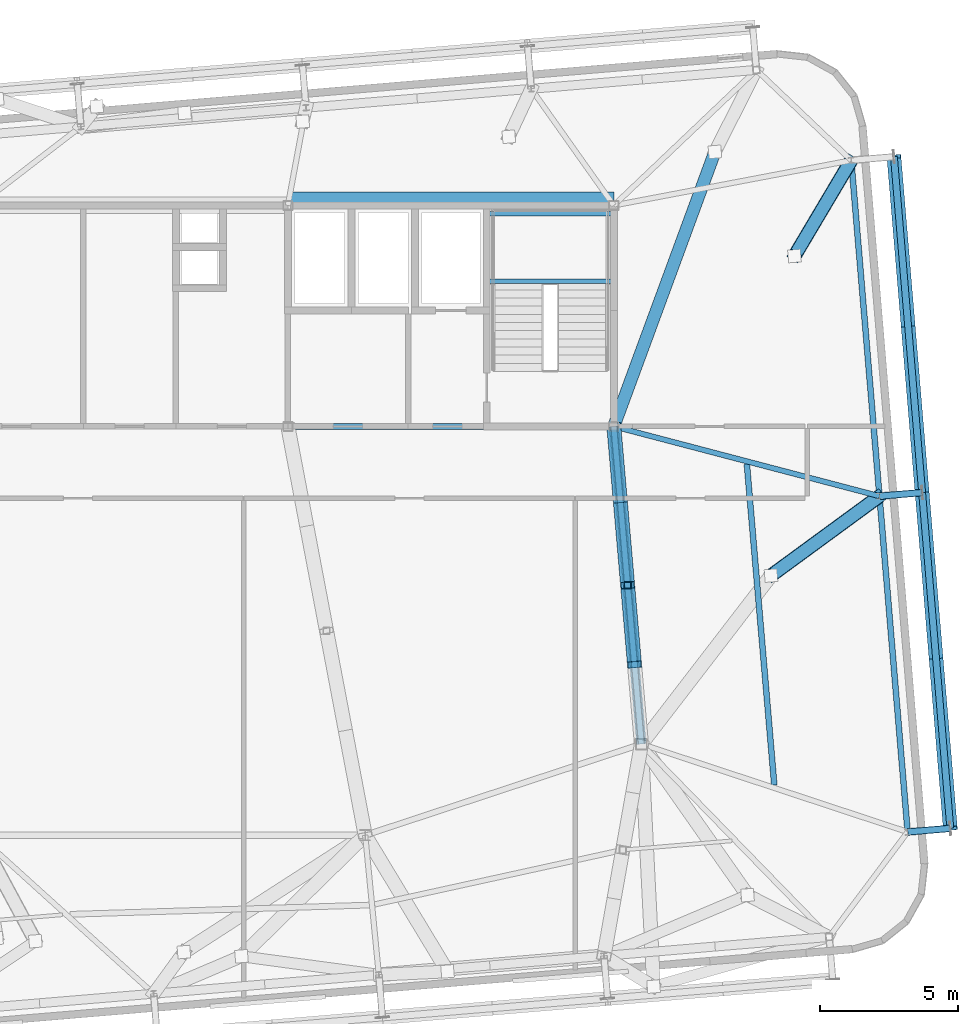
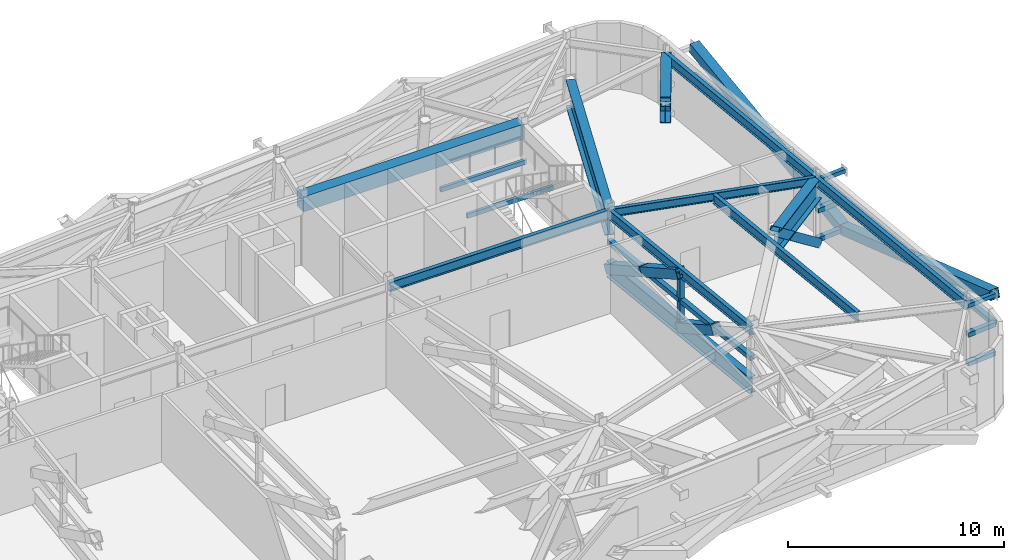
# One storey, part 12 of 26: 21 members, 12 beams.
"""IFC4 building model written with IfcOpenShell, lengths in metres."""

from ifc_helpers import new_model, si_unit, direction, frame, origin, origin_2d, place, context, subcontext, project, spatial, rectangle, hollow_rectangle, i_section, extrude, source, transform, mapped, material, material_profile, profile_set, type_object, element, save


model = new_model("IFC4")

# Units and contexts
model_context = context("Model", 3, precision=1e-05, world=origin(), true_north=direction((0.0, 1.0)))
body_context = subcontext(model_context, "Body", "Model", "MODEL_VIEW")
ifc_project = project(units=[si_unit("LENGTHUNIT", "METRE"), si_unit("AREAUNIT", "SQUARE_METRE"), si_unit("VOLUMEUNIT", "CUBIC_METRE"), si_unit("PLANEANGLEUNIT", "RADIAN"), si_unit("MASSUNIT", "GRAM", prefix="KILO")], contexts=[model_context])

# Site, building, storey
site_placement = place(None, origin())
site = spatial("IfcSite", under=ifc_project, at=site_placement, CompositionType="ELEMENT")
building_placement = place(site_placement, origin())
building = spatial("IfcBuilding", under=site, at=building_placement, Name="Taldren Reach Tower", CompositionType="ELEMENT")
storey_placement = place(building_placement, frame((0.0, 0.0, 207.199951171875)))
storey = spatial("IfcBuildingStorey", under=building, at=storey_placement, Name="L63", CompositionType="ELEMENT", Elevation=207.199951171875)

# Beams
ifc_material_1 = material(Name="Steel Gr 350 (350PLUS)", Category="steel")
ifc_material_profile_1 = material_profile(ifc_material_1, i_section(OverallWidth=0.208984375, OverallDepth=0.532958984375, WebThickness=0.01025390625, FlangeThickness=0.015625, at=origin_2d()), Name="530UB92.4")
ifc_profile_set_1 = profile_set([ifc_material_profile_1], Name="Steel Gr 350 (350PLUS)")
beam_type_1 = type_object("IfcBeamType", Name="BM-UB530A", PredefinedType="BEAM", material=ifc_profile_set_1)
shared_shape_1 = source(origin(), body_context, "Body", "SweptSolid", [
    extrude(i_section(OverallWidth=0.208984375, OverallDepth=0.532958984375, WebThickness=0.01025390625, FlangeThickness=0.015625, at=origin_2d()), origin(), (0.0, 0.0, 1.0), 11.800048828125),
])
beam_1_placement = place(storey_placement, frame((39.199951171875, 24.0, 3.513427734375), z_axis=(1.0, 0.0, 0.0), x_axis=(0.0, 1.0, 0.0)))
element("IfcBeam", 1, at=beam_1_placement, inside=storey, type_object=beam_type_1, Name="Core-spine girder L63-SP03", PredefinedType="BEAM", context=body_context, shape_type="MappedRepresentation", body=[
    mapped(shared_shape_1, transform((0.0, 0.0, 0.0), scale=1.0)),
])
ifc_material_2 = material(Name="Concrete S80 (80 MPa)", Category="concrete")
ifc_material_profile_2 = material_profile(ifc_material_2, rectangle(XDim=0.60009765625, YDim=0.85009765625, at=origin_2d()), Name="RC-CB600x850")
ifc_profile_set_2 = profile_set([ifc_material_profile_2], Name="Concrete S80 (80 MPa)")
beam_type_2 = type_object("IfcBeamType", Name="BM-RCCB850", PredefinedType="BEAM", material=ifc_profile_set_2)
shared_shape_2 = source(origin(), body_context, "Body", "SweptSolid", [
    extrude(rectangle(XDim=0.60009765625, YDim=0.85009765625, at=origin_2d()), origin(), (0.0, 0.0, 1.0), 11.800048828125),
])
beam_2_placement = place(storey_placement, frame((39.199951171875, 32.179931640625, 3.35498046875), z_axis=(1.0, 0.0, 0.0), x_axis=(0.0, 1.0, 0.0)))
element("IfcBeam", 2, at=beam_2_placement, inside=storey, type_object=beam_type_2, Name="Core-spine girder L63-SP06", PredefinedType="BEAM", context=body_context, shape_type="MappedRepresentation", body=[
    mapped(shared_shape_2, transform((0.0, 0.0, 0.0), scale=1.0)),
])
shared_shape_3 = source(origin(), body_context, "Body", "SweptSolid", [
    extrude(i_section(OverallWidth=0.208984375, OverallDepth=0.532958984375, WebThickness=0.01025390625, FlangeThickness=0.015625, at=origin_2d()), origin(), (0.0, 0.0, 1.0), 11.54345703125),
])
beam_3_placement = place(storey_placement, frame((52.0, 12.5, 3.513427734375), z_axis=(-0.086629616365, 0.996240588196, 0.0), x_axis=(-0.996240588196, -0.086629616365, 0.0)))
element("IfcBeam", 3, at=beam_3_placement, inside=storey, type_object=beam_type_1, Name="Core-spine girder L63-SP13", PredefinedType="BEAM", context=body_context, shape_type="MappedRepresentation", body=[
    mapped(shared_shape_3, transform((0.0, 0.0, 0.0), scale=1.0)),
])

# Members
ifc_material_profile_3 = material_profile(ifc_material_1, i_section(OverallWidth=0.35009765625, OverallDepth=0.916015625, WebThickness=0.013916015625, FlangeThickness=0.028076171875, at=origin_2d()), Name="900WB257")
ifc_profile_set_3 = profile_set([ifc_material_profile_3], Name="Steel Gr 350 (350PLUS)")
member_type_1 = type_object("IfcMemberType", Name="MB-CH900", PredefinedType="CHORD", material=ifc_profile_set_3)
shared_shape_4 = source(origin(), body_context, "Body", "SweptSolid", [
    extrude(i_section(OverallWidth=0.35009765625, OverallDepth=0.916015625, WebThickness=0.013916015625, FlangeThickness=0.028076171875, at=origin_2d()), origin(), (0.0, 0.0, 1.0), 11.54345703125),
])
member_1_placement = place(storey_placement, frame((51.0, 24.0, 0.449951171875), z_axis=(0.086629616365, -0.996240588196, 0.0), x_axis=(0.996240588196, 0.086629616365, 0.0)))
element("IfcMember", 4, at=member_1_placement, inside=storey, type_object=member_type_1, Name="Outrigger Transfer Truss Bottom Chord OT-E1 L63", PredefinedType="CHORD", context=body_context, shape_type="MappedRepresentation", body=[
    mapped(shared_shape_4, transform((0.0, 0.0, 0.0), scale=1.0)),
])
ifc_material_3 = material(Name="Steel Gr 350 (C350L0)", Category="steel")
ifc_material_profile_4 = material_profile(ifc_material_3, hollow_rectangle(XDim=0.25, YDim=0.25, WallThickness=0.010009765625, at=origin_2d()), Name="250x250x10.0SHS")
ifc_profile_set_4 = profile_set([ifc_material_profile_4], Name="Steel Gr 350 (C350L0)")
member_type_2 = type_object("IfcMemberType", Name="MB-POST250", PredefinedType="POST", material=ifc_profile_set_4)
shared_shape_5 = source(origin(), body_context, "Body", "SweptSolid", [
    extrude(hollow_rectangle(XDim=0.25, YDim=0.25, WallThickness=0.010009765625, at=origin_2d()), origin(), (0.0, 0.0, 1.0), 11.54345703125),
])
member_2_placement = place(storey_placement, frame((51.0, 24.0, 1.955078125), z_axis=(0.086629616365, -0.996240588196, 0.0), x_axis=(0.996240588196, 0.086629616365, 0.0)))
element("IfcMember", 5, at=member_2_placement, inside=storey, type_object=member_type_2, Name="Outrigger Transfer Truss Mid Chord OT-E1 L63", PredefinedType="POST", context=body_context, shape_type="MappedRepresentation", body=[
    mapped(shared_shape_5, transform((0.0, 0.0, 0.0), scale=1.0)),
])
shared_shape_6 = source(origin(), body_context, "Body", "SweptSolid", [
    extrude(hollow_rectangle(XDim=0.25, YDim=0.25, WallThickness=0.010009765625, at=origin_2d()), origin(), (0.0, 0.0, 1.0), 1.5048828125),
])
member_3_placement = place(storey_placement, frame((51.5, 18.25, 1.955078125), z_axis=(0.0, 0.0, 1.0), x_axis=(1.0, 0.0, 0.0)))
element("IfcMember", 6, at=member_3_placement, inside=storey, type_object=member_type_2, Name="Outrigger Transfer Truss Vertical Post OT-E1 L63", PredefinedType="POST", context=body_context, shape_type="MappedRepresentation", body=[
    mapped(shared_shape_6, transform((0.0, 0.0, 0.0), scale=1.0)),
])
shared_shape_7 = source(origin(), body_context, "Body", "SweptSolid", [
    extrude(hollow_rectangle(XDim=0.25, YDim=0.25, WallThickness=0.010009765625, at=origin_2d()), origin(), (0.0, 0.0, 1.0), 1.505126953125),
])
member_4_placement = place(storey_placement, frame((51.5, 18.25, 0.449951171875), z_axis=(0.0, 0.0, 1.0), x_axis=(1.0, 0.0, 0.0)))
element("IfcMember", 7, at=member_4_placement, inside=storey, type_object=member_type_2, Name="Outrigger Transfer Truss Vertical Post OT-E1 L63", PredefinedType="POST", context=body_context, shape_type="MappedRepresentation", body=[
    mapped(shared_shape_7, transform((0.0, 0.0, 0.0), scale=1.0)),
])
ifc_material_4 = material(Name="Steel Gr 450 (C450L0)", Category="steel")
ifc_material_profile_5 = material_profile(ifc_material_4, hollow_rectangle(XDim=0.510009765625, YDim=0.510009765625, WallThickness=0.02001953125, at=origin_2d()), Name="510x510x20.0SHS")
ifc_profile_set_5 = profile_set([ifc_material_profile_5], Name="Steel Gr 450 (C450L0)")
member_type_3 = type_object("IfcMemberType", Name="MB-EXO508", PredefinedType="BRACE", material=ifc_profile_set_5)
shared_shape_8 = source(origin(), body_context, "Body", "SweptSolid", [
    extrude(hollow_rectangle(XDim=0.510009765625, YDim=0.510009765625, WallThickness=0.02001953125, at=origin_2d()), origin(), (0.0, 0.0, 1.0), 3.254638671875),
])
member_5_placement = place(storey_placement, frame((51.25, 21.125, 1.955078125), z_axis=(0.076812991328, -0.883349400268, 0.462378201703), x_axis=(0.996240588196, 0.086629616365, 0.0)))
element("IfcMember", 8, at=member_5_placement, inside=storey, type_object=member_type_3, Name="Outrigger Transfer Truss Diagonal OT-E1A L63", PredefinedType="BRACE", context=body_context, shape_type="MappedRepresentation", body=[
    mapped(shared_shape_8, transform((0.0, 0.0, 0.0), scale=1.0)),
])
shared_shape_9 = source(origin(), body_context, "Body", "SweptSolid", [
    extrude(hollow_rectangle(XDim=0.510009765625, YDim=0.510009765625, WallThickness=0.02001953125, at=origin_2d()), origin(), (0.0, 0.0, 1.0), 3.2548828125),
])
for number, where, z_axis, x_axis, name in (
    (9, (51.0, 24.0, 0.449951171875), (0.076810327051, -0.883318761082, 0.462437174089), (0.996240588196, 0.086629616365, 0.0), "Outrigger Transfer Truss Diagonal OT-E1A L63"),
    (10, (51.5, 18.25, 0.449951171875), (0.076810327051, -0.883318761082, 0.462437174089), (0.996240588196, 0.086629616365, 0.0), "Outrigger Transfer Truss Diagonal OT-E1B L63"),
):
    element("IfcMember", number, at=place(storey_placement, frame(where, z_axis=z_axis, x_axis=x_axis)), inside=storey, type_object=member_type_3, Name=name, PredefinedType="BRACE", context=body_context, shape_type="MappedRepresentation", body=[
        mapped(shared_shape_9, transform((0.0, 0.0, 0.0), scale=1.0)),
    ])

# Beams
ifc_material_profile_6 = material_profile(ifc_material_1, i_section(OverallWidth=0.208984375, OverallDepth=0.528076171875, WebThickness=0.009521484375, FlangeThickness=0.01318359375, at=origin_2d()), Name="530UB82.0")
ifc_profile_set_6 = profile_set([ifc_material_profile_6], Name="Steel Gr 350 (350PLUS)")
beam_type_3 = type_object("IfcBeamType", Name="SP-UB530B", PredefinedType="SPANDREL", material=ifc_profile_set_6)
shared_shape_10 = source(origin(), body_context, "Body", "SweptSolid", [
    extrude(i_section(OverallWidth=0.208984375, OverallDepth=0.528076171875, WebThickness=0.009521484375, FlangeThickness=0.01318359375, at=origin_2d()), origin(), (0.0, 0.0, 1.0), 12.199951171875),
])
for number, where, z_axis, x_axis, name in (
    (11, (61.63818359375, 9.317626953125, 3.51611328125), (-0.083688038336, 0.996492003099, 0.0), (-0.996492003099, -0.083688038336, 0.0), "Perimeter spandrel B4 E1-E2 L63"),
    (12, (60.6171875, 21.474853515625, 3.51611328125), (-0.083668166953, 0.99649367175, 0.0), (-0.99649367175, -0.083668166953, 0.0), "Perimeter spandrel B4 E2-E3 L63"),
):
    element("IfcBeam", number, at=place(storey_placement, frame(where, z_axis=z_axis, x_axis=x_axis)), inside=storey, type_object=beam_type_3, Name=name, PredefinedType="SPANDREL", context=body_context, shape_type="MappedRepresentation", body=[
        mapped(shared_shape_10, transform((0.0, 0.0, 0.0), scale=1.0)),
    ])
ifc_material_profile_7 = material_profile(ifc_material_1, i_section(OverallWidth=0.19091796875, OverallDepth=0.4599609375, WebThickness=0.010009765625, FlangeThickness=0.01611328125, at=origin_2d()), Name="460UB82.1")
ifc_profile_set_7 = profile_set([ifc_material_profile_7], Name="Steel Gr 350 (350PLUS)")
beam_type_4 = type_object("IfcBeamType", Name="BM-UB460A", PredefinedType="BEAM", material=ifc_profile_set_7)
shared_shape_11 = source(origin(), body_context, "Body", "SweptSolid", [
    extrude(i_section(OverallWidth=0.19091796875, OverallDepth=0.4599609375, WebThickness=0.010009765625, FlangeThickness=0.01611328125, at=origin_2d()), origin(), (0.0, 0.0, 1.0), 9.943115234375),
])
beam_4_placement = place(storey_placement, frame((51.0, 24.0, 3.550048828125), z_axis=(0.967215285987, -0.253957851923, 0.0), x_axis=(0.253957851923, 0.967215285987, 0.0)))
element("IfcBeam", 13, at=beam_4_placement, inside=storey, type_object=beam_type_4, Name="Primary floor girder B4-E2 L63", PredefinedType="BEAM", context=body_context, shape_type="MappedRepresentation", body=[
    mapped(shared_shape_11, transform((0.0, 0.0, 0.0), scale=1.0)),
])
shared_shape_12 = source(origin(), body_context, "Body", "SweptSolid", [
    extrude(i_section(OverallWidth=0.208984375, OverallDepth=0.532958984375, WebThickness=0.01025390625, FlangeThickness=0.015625, at=origin_2d()), origin(), (0.0, 0.0, 1.0), 11.66650390625),
])
beam_5_placement = place(storey_placement, frame((56.810302734375, 11.01220703125, 3.513427734375), z_axis=(-0.085128704566, 0.996369963246, 0.0), x_axis=(-0.996369963246, -0.085128704566, 0.0)))
element("IfcBeam", 14, at=beam_5_placement, inside=storey, type_object=beam_type_1, Name="Secondary floor beam B4 J7 L63", PredefinedType="BEAM", context=body_context, shape_type="MappedRepresentation", body=[
    mapped(shared_shape_12, transform((0.0, 0.0, 0.0), scale=1.0)),
])

# Members
ifc_material_profile_8 = material_profile(ifc_material_4, hollow_rectangle(XDim=0.219970703125, YDim=0.219970703125, WallThickness=0.00830078125, at=origin_2d()), Name="220x220x8.2SHS")
ifc_profile_set_8 = profile_set([ifc_material_profile_8], Name="Steel Gr 450 (C450L0)")
member_type_4 = type_object("IfcMemberType", Name="MB-TIE219", PredefinedType="STRUT", material=ifc_profile_set_8)
shared_shape_13 = source(origin(), body_context, "Body", "SweptSolid", [
    extrude(hollow_rectangle(XDim=0.219970703125, YDim=0.219970703125, WallThickness=0.00830078125, at=origin_2d()), origin(), (0.0, 0.0, 1.0), 1.54541015625),
])
member_6_placement = place(storey_placement, frame((60.621826171875, 21.47509765625, 3.5), z_axis=(0.99648887425, 0.083725285883, 0.0), x_axis=(-0.083725285883, 0.99648887425, 0.0)))
element("IfcMember", 15, at=member_6_placement, inside=storey, type_object=member_type_4, Name="Exoskeleton diaphragm tie strut B4-E2 L63", PredefinedType="STRUT", context=body_context, shape_type="MappedRepresentation", body=[
    mapped(shared_shape_13, transform((0.0, 0.0, 0.0), scale=1.0)),
])
shared_shape_14 = source(origin(), body_context, "Body", "SweptSolid", [
    extrude(hollow_rectangle(XDim=0.219970703125, YDim=0.219970703125, WallThickness=0.00830078125, at=origin_2d()), origin(), (0.0, 0.0, 1.0), 1.545166015625),
])
member_7_placement = place(storey_placement, frame((61.642822265625, 9.31787109375, 3.5), z_axis=(0.996487766615, 0.083738467783, 0.0), x_axis=(-0.083738467783, 0.996487766615, 0.0)))
element("IfcMember", 16, at=member_7_placement, inside=storey, type_object=member_type_4, Name="Exoskeleton diaphragm tie strut B4-E1 L63", PredefinedType="STRUT", context=body_context, shape_type="MappedRepresentation", body=[
    mapped(shared_shape_14, transform((0.0, 0.0, 0.0), scale=1.0)),
])
shared_shape_15 = source(origin(), body_context, "Body", "SweptSolid", [
    extrude(hollow_rectangle(XDim=0.25, YDim=0.25, WallThickness=0.010009765625, at=origin_2d()), origin(), (0.0, 0.0, 1.0), 12.199951171875),
])
for number, where, z_axis, x_axis, name in (
    (17, (63.1826171875, 9.447265625, 1.860107421875), (-0.083668166953, 0.99649367175, 0.0), (-0.99649367175, -0.083668166953, 0.0), "Exoskeleton mid-height ring chord B4-E1 L63"),
    (18, (62.161865234375, 21.6044921875, 1.860107421875), (-0.083688038336, 0.996492003099, 0.0), (-0.996492003099, -0.083688038336, 0.0), "Exoskeleton mid-height ring chord B4-E2 L63"),
):
    element("IfcMember", number, at=place(storey_placement, frame(where, z_axis=z_axis, x_axis=x_axis)), inside=storey, type_object=member_type_2, Name=name, PredefinedType="POST", context=body_context, shape_type="MappedRepresentation", body=[
        mapped(shared_shape_15, transform((0.0, 0.0, 0.0), scale=1.0)),
    ])
shared_shape_16 = source(origin(), body_context, "Body", "SweptSolid", [
    extrude(hollow_rectangle(XDim=0.25, YDim=0.25, WallThickness=0.010009765625, at=origin_2d()), origin(), (0.0, 0.0, 1.0), 1.54541015625),
])
for number, where, z_axis, x_axis, name in (
    (19, (60.621826171875, 21.47509765625, 0.219970703125), (0.99648887425, 0.083725285883, 0.0), (-0.083725285883, 0.99648887425, 0.0), "Exoskeleton base diaphragm tie strut B4-E2 L63"),
    (20, (60.621826171875, 21.47509765625, 1.860107421875), (0.99648887425, 0.083725285883, 0.0), (-0.083725285883, 0.99648887425, 0.0), "Exoskeleton mid-tier diaphragm tie B4-E2 L63"),
):
    element("IfcMember", number, at=place(storey_placement, frame(where, z_axis=z_axis, x_axis=x_axis)), inside=storey, type_object=member_type_2, Name=name, PredefinedType="POST", context=body_context, shape_type="MappedRepresentation", body=[
        mapped(shared_shape_16, transform((0.0, 0.0, 0.0), scale=1.0)),
    ])
shared_shape_17 = source(origin(), body_context, "Body", "SweptSolid", [
    extrude(hollow_rectangle(XDim=0.25, YDim=0.25, WallThickness=0.010009765625, at=origin_2d()), origin(), (0.0, 0.0, 1.0), 1.545166015625),
])
for number, where, z_axis, x_axis, name in (
    (21, (61.642822265625, 9.31787109375, 0.219970703125), (0.996487766615, 0.083738467783, 0.0), (-0.083738467783, 0.996487766615, 0.0), "Exoskeleton base diaphragm tie strut B4-E1 L63"),
    (22, (61.642822265625, 9.31787109375, 1.860107421875), (0.996487766615, 0.083738467783, 0.0), (-0.083738467783, 0.996487766615, 0.0), "Exoskeleton mid-tier diaphragm tie B4-E1 L63"),
):
    element("IfcMember", number, at=place(storey_placement, frame(where, z_axis=z_axis, x_axis=x_axis)), inside=storey, type_object=member_type_2, Name=name, PredefinedType="POST", context=body_context, shape_type="MappedRepresentation", body=[
        mapped(shared_shape_17, transform((0.0, 0.0, 0.0), scale=1.0)),
    ])

# Beam
ifc_material_profile_9 = material_profile(ifc_material_1, i_section(OverallWidth=0.449951171875, OverallDepth=1.5, WebThickness=0.02001953125, FlangeThickness=0.0439453125, at=origin_2d()), Name="1500WB550")
ifc_profile_set_9 = profile_set([ifc_material_profile_9], Name="Steel Gr 350 (350PLUS)")
beam_type_5 = type_object("IfcBeamType", Name="BM-PG1500", PredefinedType="BEAM", material=ifc_profile_set_9)
shared_shape_18 = source(origin(), body_context, "Body", "SweptSolid", [
    extrude(i_section(OverallWidth=0.449951171875, OverallDepth=1.5, WebThickness=0.02001953125, FlangeThickness=0.0439453125, at=origin_2d()), origin(), (0.0, 0.0, 1.0), 10.592041015625),
])
beam_6_placement = place(storey_placement, frame((51.0, 24.0, 3.030029296875), z_axis=(0.345491718647, 0.938421798738, 0.0), x_axis=(-0.938421798738, 0.345491718647, 0.0)))
element("IfcBeam", 23, at=beam_6_placement, inside=storey, type_object=beam_type_5, Name="Belt Truss Transfer Girder TG-B5-N6A on L63", PredefinedType="BEAM", context=body_context, shape_type="MappedRepresentation", body=[
    mapped(shared_shape_18, transform((0.0, 0.0, 0.0), scale=1.0)),
])

# Member
ifc_material_profile_10 = material_profile(ifc_material_4, hollow_rectangle(XDim=0.4599609375, YDim=0.4599609375, WallThickness=0.01611328125, at=origin_2d()), Name="460x460x16.0SHS")
ifc_profile_set_10 = profile_set([ifc_material_profile_10], Name="Steel Gr 450 (C450L0)")
member_type_5 = type_object("IfcMemberType", Name="MB-EXO457", PredefinedType="BRACE", material=ifc_profile_set_10)
shared_shape_19 = source(origin(), body_context, "Body", "SweptSolid", [
    extrude(hollow_rectangle(XDim=0.4599609375, YDim=0.4599609375, WallThickness=0.01611328125, at=origin_2d()), origin(), (0.0, 0.0, 1.0), 6.1494140625),
])
member_8_placement = place(storey_placement, frame((60.6171875, 21.474853515625, 0.02001953125), z_axis=(-0.638401233634, -0.467525679557, 0.61144386811), x_axis=(0.590841504739, -0.806787652531, 0.0)))
element("IfcMember", 24, at=member_8_placement, inside=storey, type_object=member_type_5, Name="Outrigger Belt Truss Transfer Strut TS-B5-E2 L63", PredefinedType="BRACE", context=body_context, shape_type="MappedRepresentation", body=[
    mapped(shared_shape_19, transform((0.0, 0.0, 0.0), scale=1.0)),
])

# Beam
ifc_material_profile_11 = material_profile(ifc_material_1, i_section(OverallWidth=0.5, OverallDepth=1.199951171875, WebThickness=0.01611328125, FlangeThickness=0.0400390625, at=origin_2d()), Name="1200WB455")
ifc_profile_set_11 = profile_set([ifc_material_profile_11], Name="Steel Gr 350 (350PLUS)")
beam_type_6 = type_object("IfcBeamType", Name="BM-WB1200", PredefinedType="BEAM", material=ifc_profile_set_11)
shared_shape_20 = source(origin(), body_context, "Body", "SweptSolid", [
    extrude(i_section(OverallWidth=0.5, OverallDepth=1.199951171875, WebThickness=0.01611328125, FlangeThickness=0.0400390625, at=origin_2d()), origin(), (0.0, 0.0, 1.0), 4.865966796875),
])
beam_7_placement = place(storey_placement, frame((60.6171875, 21.474853515625, 3.179931640625), z_axis=(-0.806787652531, -0.590841504739, 0.0), x_axis=(0.590841504739, -0.806787652531, 0.0)))
element("IfcBeam", 25, at=beam_7_placement, inside=storey, type_object=beam_type_6, Name="Belt Truss Transfer Girder TG-B5-E2A on L63", PredefinedType="BEAM", context=body_context, shape_type="MappedRepresentation", body=[
    mapped(shared_shape_20, transform((0.0, 0.0, 0.0), scale=1.0)),
])

# Member
shared_shape_21 = source(origin(), body_context, "Body", "SweptSolid", [
    extrude(hollow_rectangle(XDim=0.4599609375, YDim=0.4599609375, WallThickness=0.01611328125, at=origin_2d()), origin(), (0.0, 0.0, 1.0), 5.509765625),
])
member_9_placement = place(storey_placement, frame((59.596435546875, 33.632080078125, 0.02001953125), z_axis=(-0.373089089978, -0.628579789837, 0.682416279662), x_axis=(0.859932903074, -0.510407094592, 0.0)))
element("IfcMember", 26, at=member_9_placement, inside=storey, type_object=member_type_5, Name="Outrigger Belt Truss Transfer Strut TS-B5-E3 L63", PredefinedType="BRACE", context=body_context, shape_type="MappedRepresentation", body=[
    mapped(shared_shape_21, transform((0.0, 0.0, 0.0), scale=1.0)),
])

# Beam
shared_shape_22 = source(origin(), body_context, "Body", "SweptSolid", [
    extrude(i_section(OverallWidth=0.5, OverallDepth=1.199951171875, WebThickness=0.01611328125, FlangeThickness=0.0400390625, at=origin_2d()), origin(), (0.0, 0.0, 1.0), 4.027587890625),
])
beam_8_placement = place(storey_placement, frame((59.596435546875, 33.632080078125, 3.179931640625), z_axis=(-0.510407094592, -0.859932903074, 0.0), x_axis=(0.859932903074, -0.510407094592, 0.0)))
element("IfcBeam", 27, at=beam_8_placement, inside=storey, type_object=beam_type_6, Name="Belt Truss Transfer Girder TG-B5-E3A on L63", PredefinedType="BEAM", context=body_context, shape_type="MappedRepresentation", body=[
    mapped(shared_shape_22, transform((0.0, 0.0, 0.0), scale=1.0)),
])

# Members
shared_shape_23 = source(origin(), body_context, "Body", "SweptSolid", [
    extrude(hollow_rectangle(XDim=0.510009765625, YDim=0.510009765625, WallThickness=0.02001953125, at=origin_2d()), origin(), (0.0, 0.0, 1.0), 6.316650390625),
])
for number, where, z_axis, x_axis, name in (
    (28, (62.161865234375, 21.6044921875, 0.219970703125), (0.080779317428, -0.962317437955, 0.259653327503), (0.996495340012, 0.08364829547, 0.0), "Exoskeleton Diagrid Brace B4-E1 L63"),
    (29, (62.672119140625, 15.52587890625, 1.860107421875), (0.080818526443, -0.962324089617, 0.259616471602), (0.996492003099, 0.083688038336, 0.0), "Exoskeleton Diagrid Brace B4-E1 L63"),
    (30, (62.161865234375, 21.6044921875, 0.219970703125), (-0.080817715434, 0.962314432749, 0.259652516636), (-0.996492003099, -0.083688038336, 0.0), "Exoskeleton Diagrid Brace B4-E2 L63"),
    (31, (61.6513671875, 27.68310546875, 1.860107421875), (-0.080818526443, 0.962324089617, 0.259616471602), (-0.996492003099, -0.083688038336, 0.0), "Exoskeleton Diagrid Brace B4-E2 L63"),
):
    element("IfcMember", number, at=place(storey_placement, frame(where, z_axis=z_axis, x_axis=x_axis)), inside=storey, type_object=member_type_3, Name=name, PredefinedType="BRACE", context=body_context, shape_type="MappedRepresentation", body=[
        mapped(shared_shape_23, transform((0.0, 0.0, 0.0), scale=1.0)),
    ])

# Beams
ifc_material_profile_12 = material_profile(ifc_material_3, hollow_rectangle(XDim=0.14990234375, YDim=0.25, WallThickness=0.009033203125, at=origin_2d()), Name="250x150x9.0RHS")
ifc_profile_set_12 = profile_set([ifc_material_profile_12], Name="Steel Gr 350 (C350L0)")
beam_type_7 = type_object("IfcBeamType", Name="LN-RHS250", PredefinedType="LINTEL", material=ifc_profile_set_12)
shared_shape_24 = source(origin(), body_context, "Body", "SweptSolid", [
    extrude(hollow_rectangle(XDim=0.14990234375, YDim=0.25, WallThickness=0.009033203125, at=origin_2d()), origin(), (0.0, 0.0, 1.0), 4.60009765625),
])
for number, where, z_axis, x_axis, name in (
    (32, (46.39990234375, 29.2548828125, 1.795166015625), (1.0, 0.0, 0.0), (0.0, 1.0, 0.0), "Stair half-landing support beam ST2-L63-1"),
    (33, (46.39990234375, 31.699951171875, 1.795166015625), (1.0, 0.0, 0.0), (0.0, 1.0, 0.0), "Stair half-landing support beam ST2-L63-2"),
):
    element("IfcBeam", number, at=place(storey_placement, frame(where, z_axis=z_axis, x_axis=x_axis)), inside=storey, type_object=beam_type_7, Name=name, PredefinedType="LINTEL", context=body_context, shape_type="MappedRepresentation", body=[
        mapped(shared_shape_24, transform((0.0, 0.0, 0.0), scale=1.0)),
    ])

save(model, "model.ifc")
